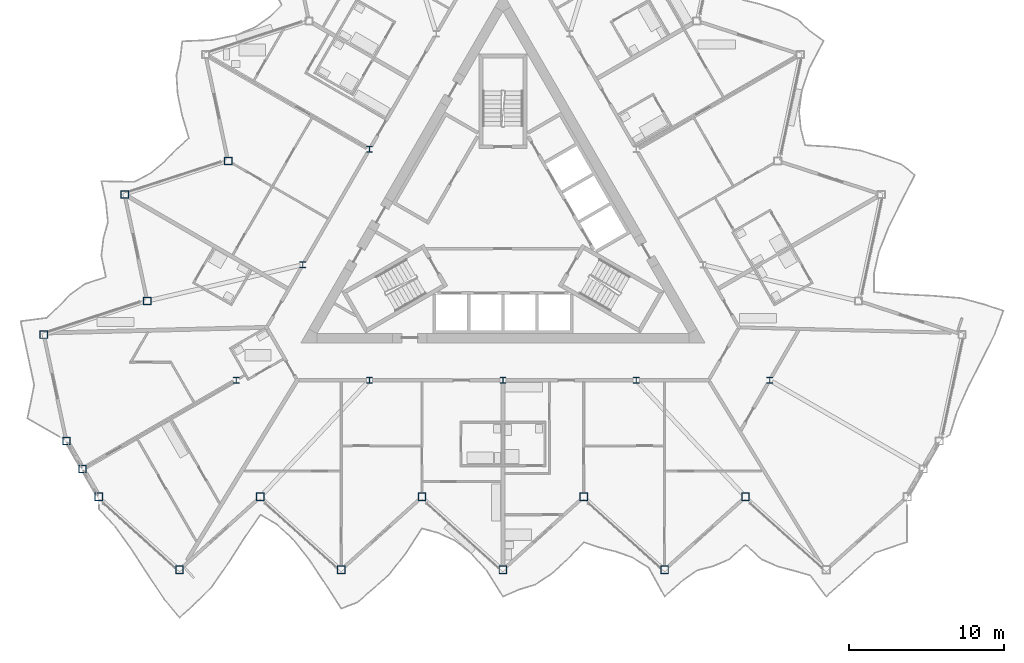
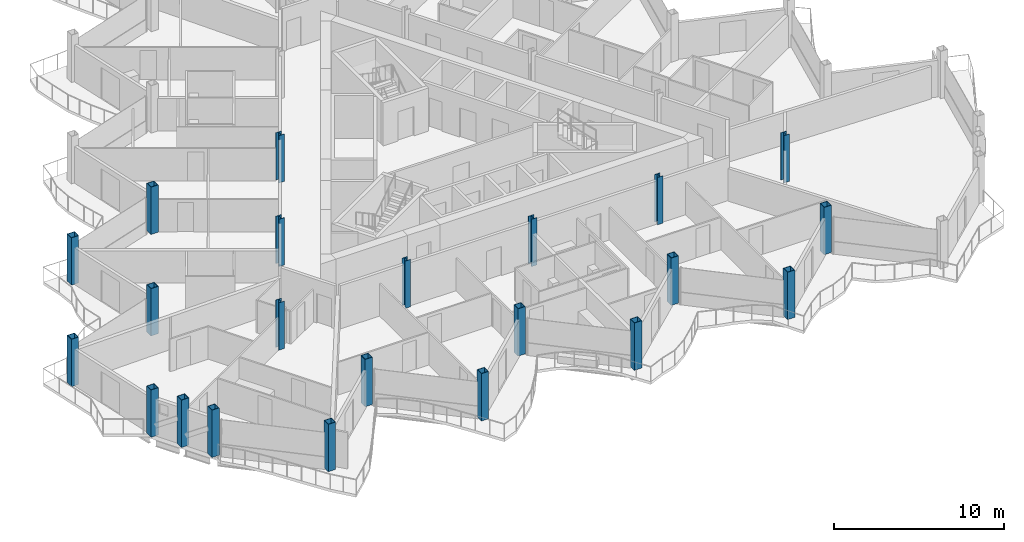
# One storey, part 1 of 26: 22 columns.
"""IFC4 building model written with IfcOpenShell, lengths in metres."""

from ifc_helpers import new_model, si_unit, direction, frame, origin, origin_2d, place, context, subcontext, project, spatial, hollow_rectangle, i_section, extrude, material, material_profile, profile_set, type_object, element, save


model = new_model("IFC4")

# Units and contexts
model_context = context("Model", 3, precision=1e-05, world=origin(), true_north=direction((0.0, 1.0)))
body_context = subcontext(model_context, "Body", "Model", "MODEL_VIEW")
ifc_project = project(units=[si_unit("LENGTHUNIT", "METRE"), si_unit("AREAUNIT", "SQUARE_METRE"), si_unit("VOLUMEUNIT", "CUBIC_METRE"), si_unit("PLANEANGLEUNIT", "RADIAN"), si_unit("MASSUNIT", "GRAM", prefix="KILO")], contexts=[model_context])

# Site, building, storey
site_placement = place(None, origin())
site = spatial("IfcSite", under=ifc_project, at=site_placement, CompositionType="ELEMENT")
building_placement = place(site_placement, origin())
building = spatial("IfcBuilding", under=site, at=building_placement, Name="Cormorant Prow Tower", CompositionType="ELEMENT")
storey_placement = place(building_placement, frame((0.0, 0.0, 401.800048828125)))
storey = spatial("IfcBuildingStorey", under=building, at=storey_placement, Name="L92", CompositionType="ELEMENT", Elevation=401.800048828125)

# Columns
ifc_material_1 = material(Name="Structural steel ASTM A572 Gr 50", Category="steel")
ifc_material_profile_1 = material_profile(ifc_material_1, hollow_rectangle(XDim=0.5, YDim=0.5, WallThickness=0.030029296875, at=origin_2d()), Name="Box 500x500x30")
ifc_profile_set_1 = profile_set([ifc_material_profile_1], Name="Structural steel ASTM A572 Gr 50")
column_type_1 = type_object("IfcColumnType", Name="Perimeter box column 500x500x30", PredefinedType="COLUMN", material=ifc_profile_set_1)
for number, where, z_axis, x_axis, name in (
    (1, (-26.0, -17.40576171875, 0.0), (0.0, 0.0, 1.0), (1.0, 0.0, 0.0), "Perimeter column C7 at S00 L92"),
    (2, (-20.800048828125, -22.087890625, 0.0), (0.0, 0.0, 1.0), (1.0, 0.0, 0.0), "Perimeter column C7 at S01 L92"),
    (3, (-15.60009765625, -17.40576171875, 0.0), (0.0, 0.0, 1.0), (1.0, 0.0, 0.0), "Perimeter column C7 at S02 L92"),
    (4, (-10.39990234375, -22.087890625, 0.0), (0.0, 0.0, 1.0), (1.0, 0.0, 0.0), "Perimeter column C7 at S03 L92"),
    (5, (-5.199951171875, -17.40576171875, 0.0), (0.0, 0.0, 1.0), (1.0, 0.0, 0.0), "Perimeter column C7 at S04 L92"),
    (6, (0.0, -22.087890625, 0.0), (0.0, 0.0, 1.0), (1.0, 0.0, 0.0), "Perimeter column C7 at S05 L92"),
    (7, (5.199951171875, -17.40576171875, 0.0), (0.0, 0.0, 1.0), (1.0, 0.0, 0.0), "Perimeter column C7 at S06 L92"),
    (8, (10.39990234375, -22.087890625, 0.0), (0.0, 0.0, 1.0), (1.0, 0.0, 0.0), "Perimeter column C7 at S07 L92"),
    (9, (15.60009765625, -17.40576171875, 0.0), (0.0, 0.0, 1.0), (1.0, 0.0, 0.0), "Perimeter column C7 at S08 L92"),
    (10, (-17.673828125, 4.199462890625, 0.0), (0.0, 0.0, 1.0), (1.0, 0.0, 0.0), "Perimeter column C7 at WNW06 L92"),
    (11, (-24.32861328125, 2.037353515625, 0.0), (0.0, 0.0, 1.0), (1.0, 0.0, 0.0), "Perimeter column C7 at WNW07 L92"),
    (12, (-22.873779296875, -4.80712890625, 0.0), (0.0, 0.0, 1.0), (1.0, 0.0, 0.0), "Perimeter column C7 at WNW08 L92"),
    (13, (-29.528564453125, -6.969482421875, 0.0), (0.0, 0.0, 1.0), (1.0, 0.0, 0.0), "Perimeter column C7 at WNW09 L92"),
    (14, (-28.07373046875, -13.813720703125, 0.0), (0.0, 0.0, 1.0), (1.0, 0.0, 0.0), "Perimeter column C7 at WSW00 L92"),
    (15, (-27.036865234375, -15.60986328125, 0.0), (0.0, 0.0, 1.0), (1.0, 0.0, 0.0), "Perimeter column C7 at WSW01 L92"),
):
    element("IfcColumn", number, at=place(storey_placement, frame(where, z_axis=z_axis, x_axis=x_axis)), inside=storey, type_object=column_type_1, Name=name, PredefinedType="COLUMN", context=body_context, shape_type="SweptSolid", body=[
        extrude(hollow_rectangle(XDim=0.5, YDim=0.5, WallThickness=0.030029296875, at=origin_2d()), origin(), (0.0, 0.0, 1.0), 3.39990234375),
    ])
ifc_material_2 = material(Name="Structural steel ASTM A992 Gr 50", Category="steel")
ifc_material_profile_2 = material_profile(ifc_material_2, i_section(OverallWidth=0.3740234375, OverallDepth=0.372314453125, WebThickness=0.016357421875, FlangeThickness=0.026123046875, at=origin_2d()), Name="W14x132")
ifc_profile_set_2 = profile_set([ifc_material_profile_2], Name="Structural steel ASTM A992 Gr 50")
column_type_2 = type_object("IfcColumnType", Name="Ring column W14x132", PredefinedType="COLUMN", material=ifc_profile_set_2)
for number, where, z_axis, x_axis, name in (
    (16, (-8.578369140625, 4.952880859375, 0.0), (0.0, 0.0, 1.0), (1.0, 0.0, 0.0), "Ring column 3 L92"),
    (17, (-12.86767578125, -2.476318359375, 0.0), (0.0, 0.0, 1.0), (1.0, 0.0, 0.0), "Ring column 4 L92"),
    (18, (-17.156982421875, -9.905517578125, 0.0), (0.0, 0.0, 1.0), (1.0, 0.0, 0.0), "Ring column 5 L92"),
    (19, (-8.578369140625, -9.905517578125, 0.0), (0.0, 0.0, 1.0), (1.0, 0.0, 0.0), "Ring column 6 L92"),
    (20, (0.0, -9.905517578125, 0.0), (0.0, 0.0, 1.0), (1.0, 0.0, 0.0), "Ring column 7 L92"),
    (21, (8.578369140625, -9.905517578125, 0.0), (0.0, 0.0, 1.0), (1.0, 0.0, 0.0), "Ring column 8 L92"),
    (22, (17.156982421875, -9.905517578125, 0.0), (0.0, 0.0, 1.0), (1.0, 0.0, 0.0), "Ring column 9 L92"),
):
    element("IfcColumn", number, at=place(storey_placement, frame(where, z_axis=z_axis, x_axis=x_axis)), inside=storey, type_object=column_type_2, Name=name, PredefinedType="COLUMN", context=body_context, shape_type="SweptSolid", body=[
        extrude(i_section(OverallWidth=0.3740234375, OverallDepth=0.372314453125, WebThickness=0.016357421875, FlangeThickness=0.026123046875, at=origin_2d()), origin(), (0.0, 0.0, 1.0), 3.39990234375),
    ])

save(model, "model.ifc")
